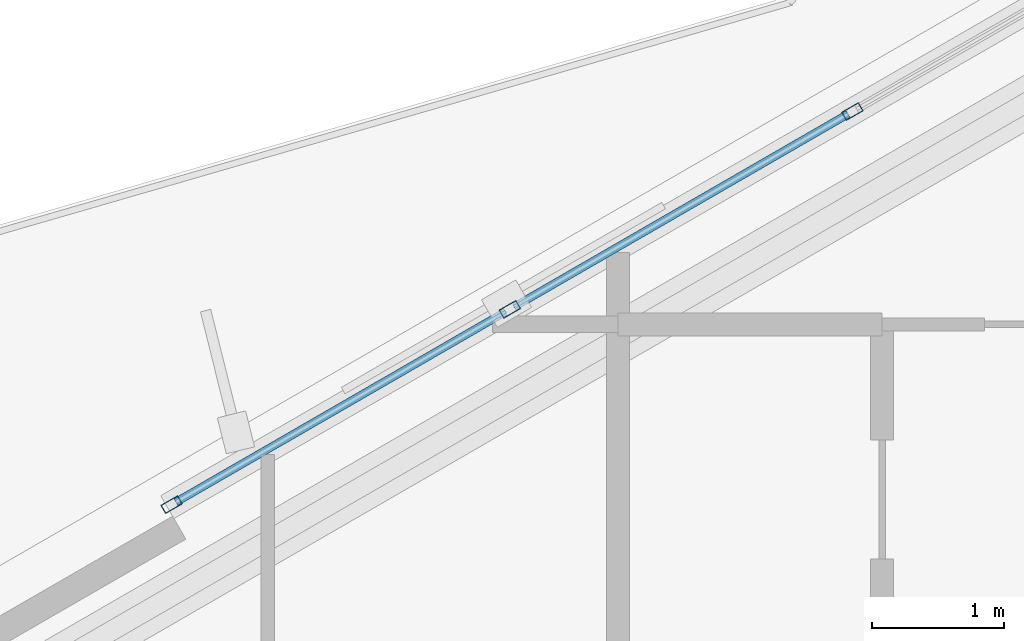
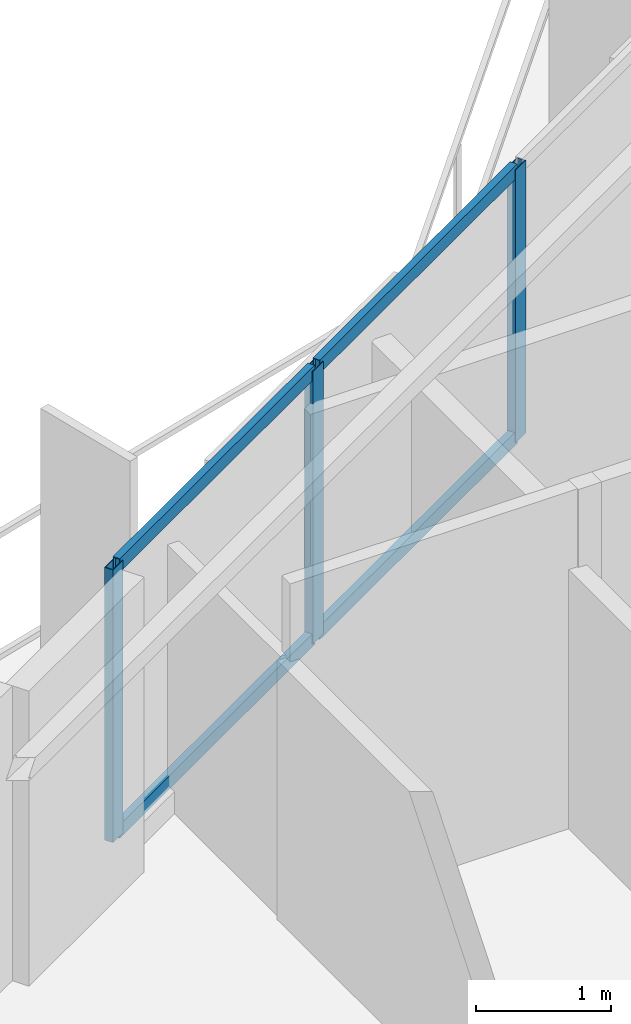
# One storey, part 7 of 19: 7 members, 1 element without a shape of its own.
"""IFC4 building model written with IfcOpenShell, lengths in metres."""

from ifc_helpers import new_model, si_unit, direction, frame, origin, origin_2d, place, context, subcontext, project, spatial, hollow_rectangle, extrude, material, layer, layer_set, material_profile, profile_set, type_object, element, aggregate, save


model = new_model("IFC4")

# Units and contexts
model_context = context("Model", 3, precision=1e-05, world=origin(), true_north=direction((0.0, 1.0)))
body_context = subcontext(model_context, "Body", "Model", "MODEL_VIEW")
ifc_project = project(units=[si_unit("LENGTHUNIT", "METRE"), si_unit("AREAUNIT", "SQUARE_METRE"), si_unit("VOLUMEUNIT", "CUBIC_METRE"), si_unit("PLANEANGLEUNIT", "RADIAN"), si_unit("MASSUNIT", "GRAM", prefix="KILO")], contexts=[model_context])

# Site, building, storey
site_placement = place(None, origin())
site = spatial("IfcSite", under=ifc_project, at=site_placement, CompositionType="ELEMENT")
building_placement = place(site_placement, origin())
building = spatial("IfcBuilding", under=site, at=building_placement, Name="Mersakhor Tower and Convention Hall", CompositionType="ELEMENT")
storey_placement = place(building_placement, frame((0.0, 0.0, 48.89990234375)))
storey = spatial("IfcBuildingStorey", under=building, at=storey_placement, Name="L13", CompositionType="ELEMENT", Elevation=48.89990234375)

# Curtain wall, members
ifc_material_1 = material(Name="Dark solar low-E aluminium curtain wall", Category="aluminium")
ifc_layer = layer(ifc_material_1, 0.159912109375)
ifc_layer_set = layer_set([ifc_layer], Name="Dark solar low-E aluminium curtain wall")
curtain_wall_type = type_object("IfcCurtainWallType", Name="CW-SYS-01", PredefinedType="USERDEFINED", material=ifc_layer_set)
curtain_wall_placement = place(storey_placement, origin())
curtain_wall = element("IfcCurtainWall", 1, at=curtain_wall_placement, inside=storey, type_object=curtain_wall_type, Name="L13 Dark-Glass Curtain Wall F1-B2", ObjectType="CURTAIN WALL", PredefinedType="USERDEFINED")
ifc_material_2 = material(Name="Anodised aluminium EN AW-6063 T6", Category="aluminium")
ifc_material_profile_1 = material_profile(ifc_material_2, hollow_rectangle(XDim=0.074951171875, YDim=0.14990234375, WallThickness=0.00634765625, at=origin_2d()), Name="RHS 150x75x6.3")
ifc_profile_set_1 = profile_set([ifc_material_profile_1], Name="Anodised aluminium EN AW-6063 T6")
member_type_1 = type_object("IfcMemberType", Name="CWM-150x75", PredefinedType="MULLION", material=ifc_profile_set_1)
member_1_placement = place(storey_placement, frame((16.423095703125, 36.635986328125, 0.2001953125), z_axis=(0.0, 0.0, 1.0), x_axis=(-0.50000344889, 0.866023412558, 0.0)))
member_1 = element("IfcMember", 2, at=member_1_placement, type_object=member_type_1, Name="CW-01 mullion 1", PredefinedType="MULLION", context=body_context, shape_type="SweptSolid", body=[
    extrude(hollow_rectangle(XDim=0.074951171875, YDim=0.14990234375, WallThickness=0.00634765625, at=origin_2d()), origin(), (0.0, 0.0, 1.0), 2.4599609375),
])
member_2_placement = place(storey_placement, frame((18.982666015625, 38.11376953125, 0.2001953125), z_axis=(0.0, 0.0, 1.0), x_axis=(-0.50000344889, 0.866023412558, 0.0)))
member_2 = element("IfcMember", 3, at=member_2_placement, type_object=member_type_1, Name="CW-01 mullion 2", PredefinedType="MULLION", context=body_context, shape_type="SweptSolid", body=[
    extrude(hollow_rectangle(XDim=0.074951171875, YDim=0.14990234375, WallThickness=0.00634765625, at=origin_2d()), origin(), (0.0, 0.0, 1.0), 2.4599609375),
])
member_3_placement = place(storey_placement, frame((21.574951171875, 39.610595703125, 0.2001953125), z_axis=(0.0, 0.0, 1.0), x_axis=(-0.50000344889, 0.866023412558, 0.0)))
member_3 = element("IfcMember", 4, at=member_3_placement, type_object=member_type_1, Name="CW-01 mullion 3", PredefinedType="MULLION", context=body_context, shape_type="SweptSolid", body=[
    extrude(hollow_rectangle(XDim=0.074951171875, YDim=0.14990234375, WallThickness=0.00634765625, at=origin_2d()), origin(), (0.0, 0.0, 1.0), 2.4599609375),
])
ifc_material_3 = material(Name="Anodised aluminium EN AW-6063 T6", Category="aluminium")
ifc_material_profile_2 = material_profile(ifc_material_3, hollow_rectangle(XDim=0.06005859375, YDim=0.1201171875, WallThickness=0.0048828125, at=origin_2d()), Name="RHS 120x60x5")
ifc_profile_set_2 = profile_set([ifc_material_profile_2], Name="Anodised aluminium EN AW-6063 T6")
member_type_2 = type_object("IfcMemberType", Name="CWT-120x60", PredefinedType="USERDEFINED", material=ifc_profile_set_2)
member_4_placement = place(storey_placement, frame((16.45556640625, 36.65478515625, 0.22998046875), z_axis=(0.866002100865, 0.500040359669, 0.0), x_axis=(-0.500040359669, 0.866002100865, 0.0)))
member_4 = element("IfcMember", 5, at=member_4_placement, type_object=member_type_2, Name="CW-01 transom 1.1", ObjectType="TRANSOM", PredefinedType="USERDEFINED", context=body_context, shape_type="SweptSolid", body=[
    extrude(hollow_rectangle(XDim=0.06005859375, YDim=0.1201171875, WallThickness=0.0048828125, at=origin_2d()), origin(), (0.0, 0.0, 1.0), 2.880615234375),
])
member_5_placement = place(storey_placement, frame((16.45556640625, 36.65478515625, 2.630126953125), z_axis=(0.866002100865, 0.500040359669, 0.0), x_axis=(-0.500040359669, 0.866002100865, 0.0)))
member_5 = element("IfcMember", 6, at=member_5_placement, type_object=member_type_2, Name="CW-01 transom 1.2", ObjectType="TRANSOM", PredefinedType="USERDEFINED", context=body_context, shape_type="SweptSolid", body=[
    extrude(hollow_rectangle(XDim=0.06005859375, YDim=0.1201171875, WallThickness=0.0048828125, at=origin_2d()), origin(), (0.0, 0.0, 1.0), 2.880615234375),
])
member_6_placement = place(storey_placement, frame((19.01513671875, 38.132568359375, 0.22998046875), z_axis=(0.866015622527, 0.500016941252, 0.0), x_axis=(-0.500016941252, 0.866015622527, 0.0)))
member_6 = element("IfcMember", 7, at=member_6_placement, type_object=member_type_2, Name="CW-01 transom 2.1", ObjectType="TRANSOM", PredefinedType="USERDEFINED", context=body_context, shape_type="SweptSolid", body=[
    extrude(hollow_rectangle(XDim=0.06005859375, YDim=0.1201171875, WallThickness=0.0048828125, at=origin_2d()), origin(), (0.0, 0.0, 1.0), 2.91845703125),
])
member_7_placement = place(storey_placement, frame((19.01513671875, 38.132568359375, 2.630126953125), z_axis=(0.866015622527, 0.500016941252, 0.0), x_axis=(-0.500016941252, 0.866015622527, 0.0)))
member_7 = element("IfcMember", 8, at=member_7_placement, type_object=member_type_2, Name="CW-01 transom 2.2", ObjectType="TRANSOM", PredefinedType="USERDEFINED", context=body_context, shape_type="SweptSolid", body=[
    extrude(hollow_rectangle(XDim=0.06005859375, YDim=0.1201171875, WallThickness=0.0048828125, at=origin_2d()), origin(), (0.0, 0.0, 1.0), 2.91845703125),
])
aggregate(curtain_wall, [member_1, member_2, member_3, member_4, member_5, member_6, member_7])

save(model, "model.ifc")
